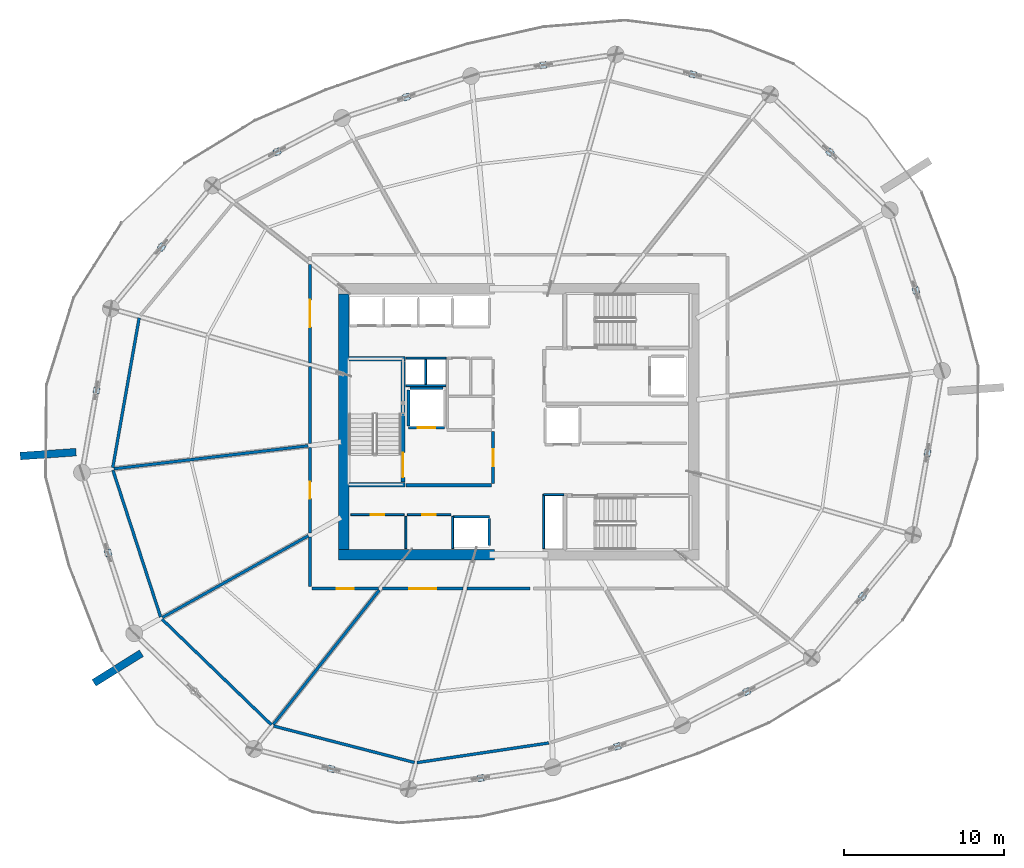
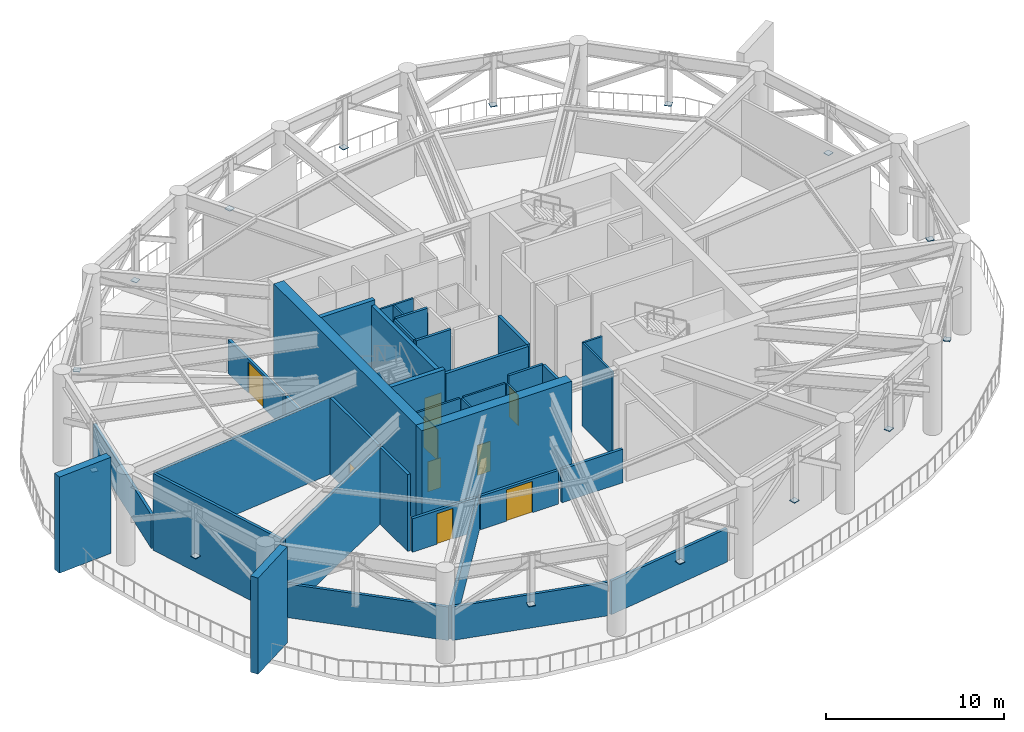
# One storey, part 12 of 20: 38 walls, 15 plates, 9 doors, 9 openings.
"""IFC4 building model written with IfcOpenShell, lengths in metres."""

from ifc_helpers import new_model, si_unit, direction, frame, frame_2d, origin, origin_2d, place, context, subcontext, project, spatial, rectangle, extrude, material, layer, layer_set, type_object, element, fill, save


model = new_model("IFC4")

# Units and contexts
model_context = context("Model", 3, precision=1e-05, world=origin(), true_north=direction((0.0, 1.0)))
body_context = subcontext(model_context, "Body", "Model", "MODEL_VIEW")
ifc_project = project(units=[si_unit("LENGTHUNIT", "METRE"), si_unit("AREAUNIT", "SQUARE_METRE"), si_unit("VOLUMEUNIT", "CUBIC_METRE"), si_unit("PLANEANGLEUNIT", "RADIAN"), si_unit("MASSUNIT", "GRAM", prefix="KILO")], contexts=[model_context])

# Site, building, storey
site_placement = place(None, origin())
site = spatial("IfcSite", under=ifc_project, at=site_placement, CompositionType="ELEMENT")
building_placement = place(site_placement, origin())
building = spatial("IfcBuilding", under=site, at=building_placement, Name="Kazma Halo Residences", CompositionType="ELEMENT")
storey_placement = place(building_placement, frame((0.0, 0.0, 225.300048828125)))
storey = spatial("IfcBuildingStorey", under=building, at=storey_placement, Name="L57", CompositionType="ELEMENT", Elevation=225.300048828125)

# Plates
ifc_material_1 = material(Name="Steel S355", Category="steel")
ifc_layer_1 = layer(ifc_material_1, 0.0400390625)
ifc_layer_set_1 = layer_set([ifc_layer_1], Name="Steel S355")
plate_type = type_object("IfcPlateType", Name="PLT-GUSSET-40", PredefinedType="SHEET", material=ifc_layer_set_1)
for number, where, z_axis, x_axis, name in (
    (1, (67.898193359375, 58.864013671875, 2.780029296875), (0.0, 0.0, 1.0), (-0.719340135133, 0.694658023769, 0.0), "L57 belt-truss post welded cap plate 01"),
    (2, (59.315673828125, 63.735107421875, 2.780029296875), (0.0, 0.0, 1.0), (-0.968125183138, 0.250466823698, 0.0), "L57 belt-truss post welded cap plate 02"),
    (3, (49.9609375, 64.310302734375, 2.780029296875), (0.0, 0.0, 1.0), (-0.989033926066, -0.147688500196, 0.0), "L57 belt-truss post welded cap plate 03"),
    (4, (41.397216796875, 62.32177734375, 2.780029296875), (0.0, 0.0, 1.0), (-0.951056975571, -0.309015580864, 0.0), "L57 belt-truss post welded cap plate 04"),
    (5, (33.2998046875, 58.89697265625, 2.780029296875), (0.0, 0.0, 1.0), (-0.88695020708, -0.461865056225, 0.0), "L57 belt-truss post welded cap plate 05"),
    (6, (26.069580078125, 52.932861328125, 2.780029296875), (0.0, 0.0, 1.0), (-0.636010867871, -0.771680099491, 0.0), "L57 belt-truss post welded cap plate 06"),
    (7, (21.989501953125, 43.947509765625, 2.780029296875), (0.0, 0.0, 1.0), (-0.173649069267, -0.984807595799, 0.0), "L57 belt-truss post welded cap plate 07"),
    (8, (22.718505859375, 33.785400390625, 2.780029296875), (0.0, 0.0, 1.0), (0.309015939189, -0.951056859145, 0.0), "L57 belt-truss post welded cap plate 08"),
    (9, (36.68408203125, 20.264892578125, 2.780029296875), (0.0, 0.0, 1.0), (0.968125183138, -0.250466823698, 0.0), "L57 belt-truss post welded cap plate 10"),
    (10, (46.0390625, 19.689697265625, 2.780029296875), (0.0, 0.0, 1.0), (0.989033926066, 0.147688500196, 0.0), "L57 belt-truss post welded cap plate 11"),
    (11, (54.602783203125, 21.67822265625, 2.780029296875), (0.0, 0.0, 1.0), (0.951056975571, 0.309015580864, 0.0), "L57 belt-truss post welded cap plate 12"),
    (12, (62.7001953125, 25.10302734375, 2.780029296875), (0.0, 0.0, 1.0), (0.88695020708, 0.461865056225, 0.0), "L57 belt-truss post welded cap plate 13"),
    (13, (69.930419921875, 31.067138671875, 2.780029296875), (0.0, 0.0, 1.0), (0.636010867871, 0.771680099491, 0.0), "L57 belt-truss post welded cap plate 14"),
    (14, (74.010498046875, 40.052490234375, 2.780029296875), (0.0, 0.0, 1.0), (0.173649069267, 0.984807595799, 0.0), "L57 belt-truss post welded cap plate 15"),
    (15, (73.281494140625, 50.214599609375, 2.780029296875), (0.0, 0.0, 1.0), (-0.309015939189, 0.951056859145, 0.0), "L57 belt-truss post welded cap plate 16"),
):
    element("IfcPlate", number, at=place(storey_placement, frame(where, z_axis=z_axis, x_axis=x_axis)), inside=storey, type_object=plate_type, Name=name, PredefinedType="SHEET", context=body_context, shape_type="SweptSolid", body=[
        extrude(rectangle(XDim=0.39990234375, YDim=0.39990234375, at=origin_2d()), origin(), (0.0, 0.0, 1.0), 0.0400390625),
    ])

# Walls
ifc_material_2 = material(Name="Pale Concrete C60/75", Category="concrete")
ifc_layer_2 = layer(ifc_material_2, 0.47998046875)
ifc_layer_set_2 = layer_set([ifc_layer_2], Name="Pale Concrete C60/75")
wall_type_1 = type_object("IfcWallType", Name="WL-BLADE-480", PredefinedType="SOLIDWALL", material=ifc_layer_set_2)
wall_1_placement = place(storey_placement, frame((20.71240234375, 40.091796875, 0.0), z_axis=(0.0, 0.0, 1.0), x_axis=(-0.997563824095, -0.069759707979, 0.0)))
element("IfcWall", 16, at=wall_1_placement, inside=storey, type_object=wall_type_1, Name="L57 pale concrete structural blade fin wall BW-02", PredefinedType="SOLIDWALL", context=body_context, shape_type="SweptSolid", body=[
    extrude(rectangle(XDim=3.499755859375, YDim=0.47998046875, at=frame_2d((1.75, 0.0))), origin(), (0.0, 0.0, 1.0), 6.599853515625),
])
wall_2_placement = place(storey_placement, frame((24.802490234375, 27.50439453125, 0.0), z_axis=(0.0, 0.0, 1.0), x_axis=(-0.848084507158, -0.529860989996, 0.0)))
element("IfcWall", 17, at=wall_2_placement, inside=storey, type_object=wall_type_1, Name="L57 pale concrete structural blade fin wall BW-03", PredefinedType="SOLIDWALL", context=body_context, shape_type="SweptSolid", body=[
    extrude(rectangle(XDim=3.5, YDim=0.47998046875, at=frame_2d((1.75, 0.0))), origin(), (0.0, 0.0, 1.0), 6.599853515625),
])
ifc_material_3 = material(Name="Concrete C60/75", Category="concrete")
ifc_layer_3 = layer(ifc_material_3, 0.64990234375)
ifc_layer_set_3 = layer_set([ifc_layer_3], Name="Concrete C60/75")
wall_type_2 = type_object("IfcWallType", Name="WL-CORE-650", PredefinedType="SHEAR", material=ifc_layer_set_3)
wall_3_placement = place(storey_placement, frame((37.14990234375, 33.675048828125, 0.0), z_axis=(0.0, 0.0, 1.0), x_axis=(1.0, 0.0, 0.0)))
element("IfcWall", 18, at=wall_3_placement, inside=storey, type_object=wall_type_2, Name="L57 central core shear wall SW", PredefinedType="SHEAR", context=body_context, shape_type="SweptSolid", body=[
    extrude(rectangle(XDim=9.75, YDim=0.64990234375, at=frame_2d((4.875, 0.0))), origin(), (0.0, 0.0, 1.0), 6.599853515625),
])
wall_4_placement = place(storey_placement, frame((37.47509765625, 34.0, 0.0), z_axis=(0.0, 0.0, 1.0), x_axis=(0.0, 1.0, 0.0)))
element("IfcWall", 19, at=wall_4_placement, inside=storey, type_object=wall_type_2, Name="L57 central core shear wall W", PredefinedType="SHEAR", context=body_context, shape_type="SweptSolid", body=[
    extrude(rectangle(XDim=16.0, YDim=0.64990234375, at=frame_2d((8.0, 0.0))), origin(), (0.0, 0.0, 1.0), 6.599853515625),
])
ifc_layer_4 = layer(ifc_material_3, 0.280029296875)
ifc_layer_set_4 = layer_set([ifc_layer_4], Name="Concrete C60/75")
wall_type_3 = type_object("IfcWallType", Name="WL-CORE-ST-280", PredefinedType="SHEAR", material=ifc_layer_set_4)
for number, where, z_axis, x_axis, name in (
    (20, (37.800048828125, 38.06005859375, 0.0), (0.0, 0.0, 1.0), (1.0, 0.0, 0.0), "L57 stairwell bearing wall ST01-S"),
    (21, (37.800048828125, 45.93994140625, 0.0), (0.0, 0.0, 1.0), (1.0, 0.0, 0.0), "L57 stairwell bearing wall ST01-N"),
):
    element("IfcWall", number, at=place(storey_placement, frame(where, z_axis=z_axis, x_axis=x_axis)), inside=storey, type_object=wall_type_3, Name=name, PredefinedType="SHEAR", context=body_context, shape_type="SweptSolid", body=[
        extrude(rectangle(XDim=3.5, YDim=0.280029296875, at=frame_2d((1.75, 0.0))), origin(), (0.0, 0.0, 1.0), 6.599853515625),
    ])
ifc_material_4 = material(Name="Acoustic Twin-Stud Gypsum")
ifc_layer_5 = layer(ifc_material_4, 0.179931640625)
ifc_layer_set_5 = layer_set([ifc_layer_5], Name="Acoustic Twin-Stud Gypsum")
wall_type_4 = type_object("IfcWallType", Name="WL-DEM-180", PredefinedType="PARTITIONING", material=ifc_layer_set_5)
wall_5_placement = place(storey_placement, frame((24.664306640625, 48.498779296875, 0.0), z_axis=(0.0, 0.0, 1.0), x_axis=(-0.173669808034, -0.98480393875, 0.0)))
element("IfcWall", 22, at=wall_5_placement, inside=storey, type_object=wall_type_4, Name="L57 refuge acoustic perimeter wall 06", PredefinedType="PARTITIONING", context=body_context, shape_type="SweptSolid", body=[
    extrude(rectangle(XDim=9.524169921875, YDim=0.179931640625, at=frame_2d((4.76220703125, 0.0))), origin(), (0.0, 0.0, 1.0), 2.303955078125),
])
wall_6_placement = place(storey_placement, frame((23.02099609375, 38.964599609375, 0.0), z_axis=(0.0, 0.0, 1.0), x_axis=(0.309041515545, -0.951048548534, 0.0)))
element("IfcWall", 23, at=wall_6_placement, inside=storey, type_object=wall_type_4, Name="L57 refuge acoustic perimeter wall 07", PredefinedType="PARTITIONING", context=body_context, shape_type="SweptSolid", body=[
    extrude(rectangle(XDim=9.6640625, YDim=0.179931640625, at=frame_2d((4.83203125, 0.0))), origin(), (0.0, 0.0, 1.0), 5.27294921875),
])
wall_7_placement = place(storey_placement, frame((26.089599609375, 29.641845703125, 0.0), z_axis=(0.0, 0.0, 1.0), x_axis=(0.719354198581, -0.694643460334, 0.0)))
element("IfcWall", 24, at=wall_7_placement, inside=storey, type_object=wall_type_4, Name="L57 refuge acoustic perimeter wall 08", PredefinedType="PARTITIONING", context=body_context, shape_type="SweptSolid", body=[
    extrude(rectangle(XDim=9.524169921875, YDim=0.179931640625, at=frame_2d((4.76220703125, 0.0))), origin(), (0.0, 0.0, 1.0), 2.303955078125),
])
wall_8_placement = place(storey_placement, frame((33.07568359375, 22.950439453125, 0.0), z_axis=(0.0, 0.0, 1.0), x_axis=(0.968121608103, -0.250480641813, 0.0)))
element("IfcWall", 25, at=wall_8_placement, inside=storey, type_object=wall_type_4, Name="L57 refuge acoustic perimeter wall 09", PredefinedType="PARTITIONING", context=body_context, shape_type="SweptSolid", body=[
    extrude(rectangle(XDim=9.115234375, YDim=0.179931640625, at=frame_2d((4.5576171875, 0.0))), origin(), (0.0, 0.0, 1.0), 2.303955078125),
])
wall_9_placement = place(storey_placement, frame((42.056884765625, 20.6591796875, 0.0), z_axis=(0.0, 0.0, 1.0), x_axis=(0.989036897226, 0.147668601692, 0.0)))
element("IfcWall", 26, at=wall_9_placement, inside=storey, type_object=wall_type_4, Name="L57 refuge acoustic perimeter wall 10", PredefinedType="PARTITIONING", context=body_context, shape_type="SweptSolid", body=[
    extrude(rectangle(XDim=8.334228515625, YDim=0.179931640625, at=frame_2d((4.1669921875, 0.0))), origin(), (0.0, 0.0, 1.0), 2.303955078125),
])

# Wall, opening, door
wall_10_placement = place(storey_placement, frame((35.35009765625, 51.8525390625, 0.0), z_axis=(0.0, 0.0, 1.0), x_axis=(0.0, -1.0, 0.0)))
wall_10 = element("IfcWall", 27, at=wall_10_placement, inside=storey, type_object=wall_type_4, Name="L57 L57 North Refuge Area corridor wall", PredefinedType="PARTITIONING", context=body_context, shape_type="SweptSolid", body=[
    extrude(rectangle(XDim=6.164794921875, YDim=0.179931640625, at=frame_2d((3.08251953125, 0.0))), origin(), (0.0, 0.0, 1.0), 2.303955078125),
])
opening_1_placement = place(wall_10_placement, frame((2.232421875, 0.0, 0.0)))
opening_1 = element("IfcOpeningElement", 28, at=opening_1_placement, cuts=wall_10, Name="Opening DL-1800", PredefinedType="OPENING", context=body_context, shape_type="SweptSolid", body=[
    extrude(rectangle(XDim=1.699951171875, YDim=2.14990234375, at=frame_2d((0.85009765625, 1.074951171875))), frame((0.0, 0.099853515625, 0.0), z_axis=(0.0, -1.0, 0.0), x_axis=(1.0, 0.0, 0.0)), (0.0, 0.0, 1.0), 0.199951171875),
])
ifc_material_5 = material(Name="Glazed Aluminium Double Leaf", Category="aluminium")
door_type_1 = type_object("IfcDoorType", Name="DR-LGE-1800", OperationType="NOTDEFINED", PredefinedType="DOOR", material=ifc_material_5)
door_1_placement = place(opening_1_placement, origin())
door_1 = element("IfcDoor", 29, at=door_1_placement, inside=storey, type_object=door_type_1, Name="L57 L57 North Refuge Area door", OperationType="DOUBLE_DOOR_SINGLE_SWING", OverallHeight=2.14990234375, OverallWidth=1.699951171875, PredefinedType="DOOR", context=body_context, shape_type="SweptSolid", body=[
    extrude(rectangle(XDim=1.699951171875, YDim=2.14990234375, at=frame_2d((0.85009765625, 1.074951171875))), frame((0.0, 0.02490234375, 0.0), z_axis=(0.0, -1.0, 0.0), x_axis=(1.0, 0.0, 0.0)), (0.0, 0.0, 1.0), 0.050048828125),
])
fill(opening_1, door_1)

# Walls
wall_11_placement = place(storey_placement, frame((35.35009765625, 45.44775390625, 0.0), z_axis=(0.0, 0.0, 1.0), x_axis=(0.0, -1.0, 0.0)))
element("IfcWall", 30, at=wall_11_placement, inside=storey, type_object=wall_type_4, Name="L57 L57 North Refuge Area corridor wall", PredefinedType="PARTITIONING", context=body_context, shape_type="SweptSolid", body=[
    extrude(rectangle(XDim=4.824951171875, YDim=0.179931640625, at=frame_2d((2.41259765625, 0.0))), origin(), (0.0, 0.0, 1.0), 2.303955078125),
])
wall_12_placement = place(storey_placement, frame((35.24072265625, 40.489990234375, 0.0), z_axis=(0.0, 0.0, 1.0), x_axis=(-0.993068054076, -0.117540801319, 0.0)))
element("IfcWall", 31, at=wall_12_placement, inside=storey, type_object=wall_type_4, Name="L57 radial partition wall 07", PredefinedType="PARTITIONING", context=body_context, shape_type="SweptSolid", body=[
    extrude(rectangle(XDim=12.229736328125, YDim=0.179931640625, at=frame_2d((6.11474609375, 0.0))), origin(), (0.0, 0.0, 1.0), 5.27294921875),
])

# Wall, opening, door
wall_13_placement = place(storey_placement, frame((35.35009765625, 40.3828125, 0.0), z_axis=(0.0, 0.0, 1.0), x_axis=(0.0, -1.0, 0.0)))
wall_13 = element("IfcWall", 32, at=wall_13_placement, inside=storey, type_object=wall_type_4, Name="L57 L57 Primary AHU Mechanical Plant Room corridor wall", PredefinedType="PARTITIONING", context=body_context, shape_type="SweptSolid", body=[
    extrude(rectangle(XDim=5.34716796875, YDim=0.179931640625, at=frame_2d((2.673583984375, 0.0))), origin(), (0.0, 0.0, 1.0), 5.27294921875),
])
opening_2_placement = place(wall_13_placement, frame((2.148681640625, 0.0, 0.0)))
opening_2 = element("IfcOpeningElement", 33, at=opening_2_placement, cuts=wall_13, Name="Opening DF-1050", PredefinedType="OPENING", context=body_context, shape_type="SweptSolid", body=[
    extrude(rectangle(XDim=1.050048828125, YDim=2.10009765625, at=frame_2d((0.52490234375, 1.050048828125))), frame((0.0, 0.099853515625, 0.0), z_axis=(0.0, -1.0, 0.0), x_axis=(1.0, 0.0, 0.0)), (0.0, 0.0, 1.0), 0.199951171875),
])
ifc_material_6 = material(Name="Fire-Rated Steel Leaf", Category="steel")
door_type_2 = type_object("IfcDoorType", Name="DR-FD90-1050", OperationType="NOTDEFINED", PredefinedType="DOOR", material=ifc_material_6)
door_2_placement = place(opening_2_placement, origin())
door_2 = element("IfcDoor", 34, at=door_2_placement, inside=storey, type_object=door_type_2, Name="L57 L57 Primary AHU Mechanical Plant Room door", OperationType="SINGLE_SWING_RIGHT", OverallHeight=2.10009765625, OverallWidth=1.050048828125, PredefinedType="DOOR", context=body_context, shape_type="SweptSolid", body=[
    extrude(rectangle(XDim=1.050048828125, YDim=2.10009765625, at=frame_2d((0.52490234375, 1.050048828125))), frame((0.0, 0.02490234375, 0.0), z_axis=(0.0, -1.0, 0.0), x_axis=(1.0, 0.0, 0.0)), (0.0, 0.0, 1.0), 0.050048828125),
])
fill(opening_2, door_2)

# Walls
wall_14_placement = place(storey_placement, frame((35.25390625, 34.862060546875, 0.0), z_axis=(0.0, 0.0, 1.0), x_axis=(-0.872490109537, -0.488631772156, 0.0)))
element("IfcWall", 35, at=wall_14_placement, inside=storey, type_object=wall_type_4, Name="L57 radial partition wall 08", PredefinedType="PARTITIONING", context=body_context, shape_type="SweptSolid", body=[
    extrude(rectangle(XDim=10.469482421875, YDim=0.179931640625, at=frame_2d((5.23486328125, 0.0))), origin(), (0.0, 0.0, 1.0), 5.27294921875),
])
wall_15_placement = place(storey_placement, frame((35.35009765625, 34.795654296875, 0.0), z_axis=(0.0, 0.0, 1.0), x_axis=(0.0, -1.0, 0.0)))
element("IfcWall", 36, at=wall_15_placement, inside=storey, type_object=wall_type_4, Name="L57 L57 Fire Booster Pump Plant Room corridor wall", PredefinedType="PARTITIONING", context=body_context, shape_type="SweptSolid", body=[
    extrude(rectangle(XDim=3.125732421875, YDim=0.179931640625, at=frame_2d((1.56298828125, 0.0))), origin(), (0.0, 0.0, 1.0), 5.27294921875),
])

# Wall, opening, door
wall_16_placement = place(storey_placement, frame((35.469970703125, 31.550048828125, 0.0), z_axis=(0.0, 0.0, 1.0), x_axis=(1.0, 0.0, 0.0)))
wall_16 = element("IfcWall", 37, at=wall_16_placement, inside=storey, type_object=wall_type_4, Name="L57 L57 Fire Booster Pump Plant Room corridor wall", PredefinedType="PARTITIONING", context=body_context, shape_type="SweptSolid", body=[
    extrude(rectangle(XDim=4.171875, YDim=0.179931640625, at=frame_2d((2.0859375, 0.0))), origin(), (0.0, 0.0, 1.0), 2.303955078125),
])
opening_3_placement = place(wall_16_placement, frame((1.56103515625, 0.0, 0.0)))
opening_3 = element("IfcOpeningElement", 38, at=opening_3_placement, cuts=wall_16, Name="Opening DF-1050", PredefinedType="OPENING", context=body_context, shape_type="SweptSolid", body=[
    extrude(rectangle(XDim=1.050048828125, YDim=2.10009765625, at=frame_2d((0.52490234375, 1.050048828125))), frame((0.0, 0.099853515625, 0.0), z_axis=(0.0, -1.0, 0.0), x_axis=(1.0, 0.0, 0.0)), (0.0, 0.0, 1.0), 0.199951171875),
])
door_3_placement = place(opening_3_placement, origin())
door_3 = element("IfcDoor", 39, at=door_3_placement, inside=storey, type_object=door_type_2, Name="L57 L57 Fire Booster Pump Plant Room door", OperationType="SINGLE_SWING_LEFT", OverallHeight=2.10009765625, OverallWidth=1.050048828125, PredefinedType="DOOR", context=body_context, shape_type="SweptSolid", body=[
    extrude(rectangle(XDim=1.050048828125, YDim=2.10009765625, at=frame_2d((0.52490234375, 1.050048828125))), frame((0.0, 0.02490234375, 0.0), z_axis=(0.0, -1.0, 0.0), x_axis=(1.0, 0.0, 0.0)), (0.0, 0.0, 1.0), 0.050048828125),
])
fill(opening_3, door_3)

# Wall
wall_17_placement = place(storey_placement, frame((39.69384765625, 31.463623046875, 0.0), z_axis=(0.0, 0.0, 1.0), x_axis=(-0.619085632085, -0.785323487581, 0.0)))
element("IfcWall", 40, at=wall_17_placement, inside=storey, type_object=wall_type_4, Name="L57 radial partition wall 09", PredefinedType="PARTITIONING", context=body_context, shape_type="SweptSolid", body=[
    extrude(rectangle(XDim=10.715087890625, YDim=0.179931640625, at=frame_2d((5.357421875, 0.0))), origin(), (0.0, 0.0, 1.0), 2.303955078125),
])

# Wall, opening, door
wall_18_placement = place(storey_placement, frame((39.8818359375, 31.550048828125, 0.0), z_axis=(0.0, 0.0, 1.0), x_axis=(1.0, 0.0, 0.0)))
wall_18 = element("IfcWall", 41, at=wall_18_placement, inside=storey, type_object=wall_type_4, Name="L57 L57 West Refuge Area corridor wall", PredefinedType="PARTITIONING", context=body_context, shape_type="SweptSolid", body=[
    extrude(rectangle(XDim=5.051025390625, YDim=0.179931640625, at=frame_2d((2.525390625, 0.0))), origin(), (0.0, 0.0, 1.0), 2.303955078125),
])
opening_4_placement = place(wall_18_placement, frame((1.67529296875, 0.0, 0.0)))
opening_4 = element("IfcOpeningElement", 42, at=opening_4_placement, cuts=wall_18, Name="Opening DL-1800", PredefinedType="OPENING", context=body_context, shape_type="SweptSolid", body=[
    extrude(rectangle(XDim=1.699951171875, YDim=2.14990234375, at=frame_2d((0.85009765625, 1.074951171875))), frame((0.0, 0.099853515625, 0.0), z_axis=(0.0, -1.0, 0.0), x_axis=(1.0, 0.0, 0.0)), (0.0, 0.0, 1.0), 0.199951171875),
])
door_4_placement = place(opening_4_placement, origin())
door_4 = element("IfcDoor", 43, at=door_4_placement, inside=storey, type_object=door_type_1, Name="L57 L57 West Refuge Area door", OperationType="DOUBLE_DOOR_SINGLE_SWING", OverallHeight=2.14990234375, OverallWidth=1.699951171875, PredefinedType="DOOR", context=body_context, shape_type="SweptSolid", body=[
    extrude(rectangle(XDim=1.699951171875, YDim=2.14990234375, at=frame_2d((0.85009765625, 1.074951171875))), frame((0.0, 0.02490234375, 0.0), z_axis=(0.0, -1.0, 0.0), x_axis=(1.0, 0.0, 0.0)), (0.0, 0.0, 1.0), 0.050048828125),
])
fill(opening_4, door_4)

# Walls
wall_19_placement = place(storey_placement, frame((45.1728515625, 31.550048828125, 0.0), z_axis=(0.0, 0.0, 1.0), x_axis=(1.0, 0.0, 0.0)))
element("IfcWall", 44, at=wall_19_placement, inside=storey, type_object=wall_type_4, Name="L57 L57 West Refuge Area corridor wall", PredefinedType="PARTITIONING", context=body_context, shape_type="SweptSolid", body=[
    extrude(rectangle(XDim=3.94384765625, YDim=0.179931640625, at=frame_2d((1.971923828125, 0.0))), origin(), (0.0, 0.0, 1.0), 2.303955078125),
])
ifc_material_7 = material(Name="Fire-Rated Blockwork Masonry", Category="masonry")
ifc_layer_6 = layer(ifc_material_7, 0.199951171875)
ifc_layer_set_6 = layer_set([ifc_layer_6], Name="Fire-Rated Blockwork Masonry")
wall_type_5 = type_object("IfcWallType", Name="WL-FLB-200", PredefinedType="PARTITIONING", material=ifc_layer_set_6)
wall_20_placement = place(storey_placement, frame((44.320068359375, 36.054931640625, 0.0), z_axis=(0.0, 0.0, 1.0), x_axis=(1.0, 0.0, 0.0)))
element("IfcWall", 45, at=wall_20_placement, inside=storey, type_object=wall_type_5, Name="L57 lift shaft PX-02 front wall", PredefinedType="PARTITIONING", context=body_context, shape_type="SweptSolid", body=[
    extrude(rectangle(XDim=2.260009765625, YDim=0.159912109375, at=frame_2d((1.1298828125, 0.0))), origin(), (0.0, 0.0, 1.0), 6.280029296875),
])
wall_21_placement = place(storey_placement, frame((46.580078125, 34.2451171875, 0.0), z_axis=(0.0, 0.0, 1.0), x_axis=(0.0, 1.0, 0.0)))
element("IfcWall", 46, at=wall_21_placement, inside=storey, type_object=wall_type_5, Name="L57 lift shaft PX-02 side wall E", PredefinedType="PARTITIONING", context=body_context, shape_type="SweptSolid", body=[
    extrude(rectangle(XDim=1.7099609375, YDim=0.159912109375, at=frame_2d((0.85498046875, 0.0))), origin(), (0.0, 0.0, 1.0), 6.280029296875),
])

# Wall, opening, door
wall_22_placement = place(storey_placement, frame((43.780029296875, 41.6201171875, 0.0), z_axis=(0.0, 0.0, 1.0), x_axis=(-1.0, 0.0, 0.0)))
wall_22 = element("IfcWall", 47, at=wall_22_placement, inside=storey, type_object=wall_type_5, Name="L57 lift shaft FL-01 front wall", PredefinedType="PARTITIONING", context=body_context, shape_type="SweptSolid", body=[
    extrude(rectangle(XDim=2.260009765625, YDim=0.159912109375, at=frame_2d((1.1298828125, 0.0))), origin(), (0.0, 0.0, 1.0), 6.280029296875),
])
opening_5_placement = place(wall_22_placement, frame((0.580078125, 0.0, 0.0)))
opening_5 = element("IfcOpeningElement", 48, at=opening_5_placement, cuts=wall_22, Name="Opening LD-FL-01", PredefinedType="OPENING", context=body_context, shape_type="SweptSolid", body=[
    extrude(rectangle(XDim=1.10009765625, YDim=2.10009765625, at=frame_2d((0.550048828125, 1.050048828125))), frame((0.0, 0.08984375, 0.0), z_axis=(0.0, -1.0, 0.0), x_axis=(1.0, 0.0, 0.0)), (0.0, 0.0, 1.0), 0.179931640625),
])
ifc_material_8 = material(Name="Stainless Steel Fire-Rated", Category="steel")
door_type_3 = type_object("IfcDoorType", Name="DR-LIFT-SLD-1100", OperationType="DOUBLE_DOOR_SLIDING", PredefinedType="DOOR", material=ifc_material_8)
door_5_placement = place(opening_5_placement, origin())
door_5 = element("IfcDoor", 49, at=door_5_placement, inside=storey, type_object=door_type_3, Name="L57 lift FL-01 sliding landing door", OperationType="DOUBLE_DOOR_SLIDING", OverallHeight=2.10009765625, OverallWidth=1.10009765625, PredefinedType="DOOR", context=body_context, shape_type="SweptSolid", body=[
    extrude(rectangle(XDim=1.10009765625, YDim=2.10009765625, at=frame_2d((0.550048828125, 1.050048828125))), frame((0.0, 0.02490234375, 0.0), z_axis=(0.0, -1.0, 0.0), x_axis=(1.0, 0.0, 0.0)), (0.0, 0.0, 1.0), 0.050048828125),
])
fill(opening_5, door_5)

# Walls
wall_23_placement = place(storey_placement, frame((41.52001953125, 41.719970703125, 0.0), z_axis=(0.0, 0.0, 1.0), x_axis=(0.0, 1.0, 0.0)))
element("IfcWall", 50, at=wall_23_placement, inside=storey, type_object=wall_type_5, Name="L57 lift shaft FL-01 side wall W", PredefinedType="PARTITIONING", context=body_context, shape_type="SweptSolid", body=[
    extrude(rectangle(XDim=2.260009765625, YDim=0.159912109375, at=frame_2d((1.1298828125, 0.0))), origin(), (0.0, 0.0, 1.0), 6.280029296875),
])
wall_24_placement = place(storey_placement, frame((41.6201171875, 44.080078125, 0.0), z_axis=(0.0, 0.0, 1.0), x_axis=(1.0, 0.0, 0.0)))
element("IfcWall", 51, at=wall_24_placement, inside=storey, type_object=wall_type_5, Name="L57 lift shaft FL-01 side wall N", PredefinedType="PARTITIONING", context=body_context, shape_type="SweptSolid", body=[
    extrude(rectangle(XDim=2.059814453125, YDim=0.159912109375, at=frame_2d((1.02978515625, 0.0))), origin(), (0.0, 0.0, 1.0), 6.280029296875),
])
wall_25_placement = place(storey_placement, frame((41.35009765625, 38.02001953125, 0.0), z_axis=(0.0, 0.0, 1.0), x_axis=(1.0, 0.0, 0.0)))
element("IfcWall", 52, at=wall_25_placement, inside=storey, type_object=wall_type_5, Name="L57 west firefighting lobby south smoke wall", PredefinedType="PARTITIONING", context=body_context, shape_type="SweptSolid", body=[
    extrude(rectangle(XDim=5.369873046875, YDim=0.199951171875, at=frame_2d((2.68505859375, 0.0))), origin(), (0.0, 0.0, 1.0), 6.280029296875),
])

# Wall, opening, door
wall_26_placement = place(storey_placement, frame((46.820068359375, 38.1201171875, 0.0), z_axis=(0.0, 0.0, 1.0), x_axis=(0.0, 1.0, 0.0)))
wall_26 = element("IfcWall", 53, at=wall_26_placement, inside=storey, type_object=wall_type_5, Name="L57 west firefighting lobby smoke wall", PredefinedType="PARTITIONING", context=body_context, shape_type="SweptSolid", body=[
    extrude(rectangle(XDim=3.259765625, YDim=0.199951171875, at=frame_2d((1.6298828125, 0.0))), origin(), (0.0, 0.0, 1.0), 6.280029296875),
])
opening_6_placement = place(wall_26_placement, frame((1.10498046875, 0.0, 0.0)))
opening_6 = element("IfcOpeningElement", 54, at=opening_6_placement, cuts=wall_26, Name="Opening D-FLW", PredefinedType="OPENING", context=body_context, shape_type="SweptSolid", body=[
    extrude(rectangle(XDim=1.050048828125, YDim=2.10009765625, at=frame_2d((0.52490234375, 1.050048828125))), frame((0.0, 0.10986328125, 0.0), z_axis=(0.0, -1.0, 0.0), x_axis=(1.0, 0.0, 0.0)), (0.0, 0.0, 1.0), 0.219970703125),
])
door_6_placement = place(opening_6_placement, origin())
door_6 = element("IfcDoor", 55, at=door_6_placement, inside=storey, type_object=door_type_2, Name="L57 west firefighting lobby smoke door", OperationType="SINGLE_SWING_RIGHT", OverallHeight=2.10009765625, OverallWidth=1.050048828125, PredefinedType="DOOR", context=body_context, shape_type="SweptSolid", body=[
    extrude(rectangle(XDim=1.050048828125, YDim=2.10009765625, at=frame_2d((0.52490234375, 1.050048828125))), frame((0.0, 0.02490234375, 0.0), z_axis=(0.0, -1.0, 0.0), x_axis=(1.0, 0.0, 0.0)), (0.0, 0.0, 1.0), 0.050048828125),
])
fill(opening_6, door_6)

# Walls
ifc_material_9 = material(Name="Gypsum Plasterboard Partition")
ifc_layer_7 = layer(ifc_material_9, 0.125)
ifc_layer_set_7 = layer_set([ifc_layer_7], Name="Gypsum Plasterboard Partition")
wall_type_6 = type_object("IfcWallType", Name="WL-PART-125", PredefinedType="PARTITIONING", material=ifc_layer_set_7)
for number, where, z_axis, x_axis, name in (
    (56, (44.280029296875, 34.050048828125, 0.0), (0.0, 0.0, 1.0), (0.0, 1.0, 0.0), "L57 reclaimed south east wall"),
    (57, (41.35009765625, 34.050048828125, 0.0), (0.0, 0.0, 1.0), (0.0, 1.0, 0.0), "L57 reclaimed south divider wall"),
):
    element("IfcWall", number, at=place(storey_placement, frame(where, z_axis=z_axis, x_axis=x_axis)), inside=storey, type_object=wall_type_6, Name=name, PredefinedType="PARTITIONING", context=body_context, shape_type="SweptSolid", body=[
        extrude(rectangle(XDim=2.030029296875, YDim=0.125, at=frame_2d((1.01513671875, 0.0))), origin(), (0.0, 0.0, 1.0), 5.719970703125),
    ])

# Wall, opening, door
wall_27_placement = place(storey_placement, frame((37.919921875, 36.179931640625, 0.0), z_axis=(0.0, 0.0, 1.0), x_axis=(1.0, 0.0, 0.0)))
wall_27 = element("IfcWall", 58, at=wall_27_placement, inside=storey, type_object=wall_type_6, Name="L57 reclaimed south W front wall", PredefinedType="PARTITIONING", context=body_context, shape_type="SweptSolid", body=[
    extrude(rectangle(XDim=3.330078125, YDim=0.125, at=frame_2d((1.6650390625, 0.0))), origin(), (0.0, 0.0, 1.0), 5.719970703125),
])
opening_7_placement = place(wall_27_placement, frame((1.239990234375, 0.0, 0.0)))
opening_7 = element("IfcOpeningElement", 59, at=opening_7_placement, cuts=wall_27, Name="Opening DS-850", PredefinedType="OPENING", context=body_context, shape_type="SweptSolid", body=[
    extrude(rectangle(XDim=0.85009765625, YDim=2.06005859375, at=frame_2d((0.425048828125, 1.030029296875))), frame((0.0, 0.072509765625, 0.0), z_axis=(0.0, -1.0, 0.0), x_axis=(1.0, 0.0, 0.0)), (0.0, 0.0, 1.0), 0.14501953125),
])
ifc_material_10 = material(Name="Painted Steel Access Leaf", Category="steel")
door_type_4 = type_object("IfcDoorType", Name="DR-SVC-850", OperationType="NOTDEFINED", PredefinedType="DOOR", material=ifc_material_10)
door_7_placement = place(opening_7_placement, origin())
door_7 = element("IfcDoor", 60, at=door_7_placement, inside=storey, type_object=door_type_4, Name="L57 reclaimed south W door", OperationType="SINGLE_SWING_RIGHT", OverallHeight=2.06005859375, OverallWidth=0.85009765625, PredefinedType="DOOR", context=body_context, shape_type="SweptSolid", body=[
    extrude(rectangle(XDim=0.85009765625, YDim=2.06005859375, at=frame_2d((0.425048828125, 1.030029296875))), frame((0.0, 0.02490234375, 0.0), z_axis=(0.0, -1.0, 0.0), x_axis=(1.0, 0.0, 0.0)), (0.0, 0.0, 1.0), 0.050048828125),
])
fill(opening_7, door_7)

wall_28_placement = place(storey_placement, frame((41.449951171875, 36.179931640625, 0.0), z_axis=(0.0, 0.0, 1.0), x_axis=(1.0, 0.0, 0.0)))
wall_28 = element("IfcWall", 61, at=wall_28_placement, inside=storey, type_object=wall_type_6, Name="L57 reclaimed south E front wall", PredefinedType="PARTITIONING", context=body_context, shape_type="SweptSolid", body=[
    extrude(rectangle(XDim=2.72998046875, YDim=0.125, at=frame_2d((1.364990234375, 0.0))), origin(), (0.0, 0.0, 1.0), 5.719970703125),
])
opening_8_placement = place(wall_28_placement, frame((0.93994140625, 0.0, 0.0)))
opening_8 = element("IfcOpeningElement", 62, at=opening_8_placement, cuts=wall_28, Name="Opening DS-850", PredefinedType="OPENING", context=body_context, shape_type="SweptSolid", body=[
    extrude(rectangle(XDim=0.85009765625, YDim=2.06005859375, at=frame_2d((0.425048828125, 1.030029296875))), frame((0.0, 0.072509765625, 0.0), z_axis=(0.0, -1.0, 0.0), x_axis=(1.0, 0.0, 0.0)), (0.0, 0.0, 1.0), 0.14501953125),
])
door_8_placement = place(opening_8_placement, origin())
door_8 = element("IfcDoor", 63, at=door_8_placement, inside=storey, type_object=door_type_4, Name="L57 reclaimed south E door", OperationType="SINGLE_SWING_LEFT", OverallHeight=2.06005859375, OverallWidth=0.85009765625, PredefinedType="DOOR", context=body_context, shape_type="SweptSolid", body=[
    extrude(rectangle(XDim=0.85009765625, YDim=2.06005859375, at=frame_2d((0.425048828125, 1.030029296875))), frame((0.0, 0.02490234375, 0.0), z_axis=(0.0, -1.0, 0.0), x_axis=(1.0, 0.0, 0.0)), (0.0, 0.0, 1.0), 0.050048828125),
])
fill(opening_8, door_8)

# Walls
wall_29_placement = place(storey_placement, frame((41.360107421875, 44.260009765625, 0.0), z_axis=(0.0, 0.0, 1.0), x_axis=(1.0, 0.0, 0.0)))
element("IfcWall", 64, at=wall_29_placement, inside=storey, type_object=wall_type_6, Name="L57 core riser south wall", PredefinedType="PARTITIONING", context=body_context, shape_type="SweptSolid", body=[
    extrude(rectangle(XDim=2.5, YDim=0.125, at=frame_2d((1.25, 0.0))), origin(), (0.0, 0.0, 1.0), 5.719970703125),
])
wall_30_placement = place(storey_placement, frame((42.60009765625, 44.35009765625, 0.0), z_axis=(0.0, 0.0, 1.0), x_axis=(0.0, 1.0, 0.0)))
element("IfcWall", 65, at=wall_30_placement, inside=storey, type_object=wall_type_6, Name="L57 core riser divider wall", PredefinedType="PARTITIONING", context=body_context, shape_type="SweptSolid", body=[
    extrude(rectangle(XDim=1.5498046875, YDim=0.125, at=frame_2d((0.77490234375, 0.0))), origin(), (0.0, 0.0, 1.0), 5.719970703125),
])
wall_31_placement = place(storey_placement, frame((49.97998046875, 34.06005859375, 0.0), z_axis=(0.0, 0.0, 1.0), x_axis=(0.0, 1.0, 0.0)))
element("IfcWall", 66, at=wall_31_placement, inside=storey, type_object=wall_type_6, Name="L57 standpipe riser wall", PredefinedType="PARTITIONING", context=body_context, shape_type="SweptSolid", body=[
    extrude(rectangle(XDim=3.39990234375, YDim=0.125, at=frame_2d((1.699951171875, 0.0))), origin(), (0.0, 0.0, 1.0), 5.719970703125),
])
wall_32_placement = place(storey_placement, frame((49.97998046875, 37.43994140625, 0.0), z_axis=(0.0, 0.0, 1.0), x_axis=(1.0, 0.0, 0.0)))
element("IfcWall", 67, at=wall_32_placement, inside=storey, type_object=wall_type_6, Name="L57 standpipe riser north wall", PredefinedType="PARTITIONING", context=body_context, shape_type="SweptSolid", body=[
    extrude(rectangle(XDim=1.260009765625, YDim=0.125, at=frame_2d((0.6298828125, 0.0))), origin(), (0.0, 0.0, 1.0), 5.719970703125),
])
wall_33_placement = place(storey_placement, frame((41.35009765625, 45.97998046875, 0.0), z_axis=(0.0, 0.0, 1.0), x_axis=(1.0, 0.0, 0.0)))
element("IfcWall", 68, at=wall_33_placement, inside=storey, type_object=wall_type_6, Name="L57 core riser NW wall", PredefinedType="PARTITIONING", context=body_context, shape_type="SweptSolid", body=[
    extrude(rectangle(XDim=2.52978515625, YDim=0.125, at=frame_2d((1.264892578125, 0.0))), origin(), (0.0, 0.0, 1.0), 5.719970703125),
])

# Wall, opening, door
ifc_material_11 = material(Name="Concrete C50/60", Category="concrete")
ifc_layer_8 = layer(ifc_material_11, 0.25)
ifc_layer_set_8 = layer_set([ifc_layer_8], Name="Concrete C50/60")
wall_type_7 = type_object("IfcWallType", Name="WL-SHF-250", PredefinedType="SOLIDWALL", material=ifc_layer_set_8)
wall_34_placement = place(storey_placement, frame((41.179931640625, 38.219970703125, 0.0), z_axis=(0.0, 0.0, 1.0), x_axis=(0.0, 1.0, 0.0)))
wall_34 = element("IfcWall", 69, at=wall_34_placement, inside=storey, type_object=wall_type_7, Name="L57 exit stair ST-01 enclosure wall", PredefinedType="SOLIDWALL", context=body_context, shape_type="SweptSolid", body=[
    extrude(rectangle(XDim=7.56005859375, YDim=0.25, at=frame_2d((3.780029296875, 0.0))), origin(), (0.0, 0.0, 1.0), 6.280029296875),
])
opening_9_placement = place(wall_34_placement, frame((0.300048828125, 0.0, 0.0)))
opening_9 = element("IfcOpeningElement", 70, at=opening_9_placement, cuts=wall_34, Name="Opening D-ST1", PredefinedType="OPENING", context=body_context, shape_type="SweptSolid", body=[
    extrude(rectangle(XDim=1.550048828125, YDim=2.14990234375, at=frame_2d((0.77490234375, 1.074951171875))), frame((0.0, 0.135009765625, 0.0), z_axis=(0.0, -1.0, 0.0), x_axis=(1.0, 0.0, 0.0)), (0.0, 0.0, 1.0), 0.27001953125),
])
ifc_material_12 = material(Name="Fire-Rated Double Steel Leaf", Category="steel")
door_type_5 = type_object("IfcDoorType", Name="DR-FD90-1550", OperationType="NOTDEFINED", PredefinedType="DOOR", material=ifc_material_12)
door_9_placement = place(opening_9_placement, origin())
door_9 = element("IfcDoor", 71, at=door_9_placement, inside=storey, type_object=door_type_5, Name="L57 exit stair ST-01 fire door", OperationType="DOUBLE_DOOR_SINGLE_SWING", OverallHeight=2.14990234375, OverallWidth=1.550048828125, PredefinedType="DOOR", context=body_context, shape_type="SweptSolid", body=[
    extrude(rectangle(XDim=1.550048828125, YDim=2.14990234375, at=frame_2d((0.77490234375, 1.074951171875))), frame((0.0, 0.02490234375, 0.0), z_axis=(0.0, -1.0, 0.0), x_axis=(1.0, 0.0, 0.0)), (0.0, 0.0, 1.0), 0.050048828125),
])
fill(opening_9, door_9)

save(model, "model.ifc")
